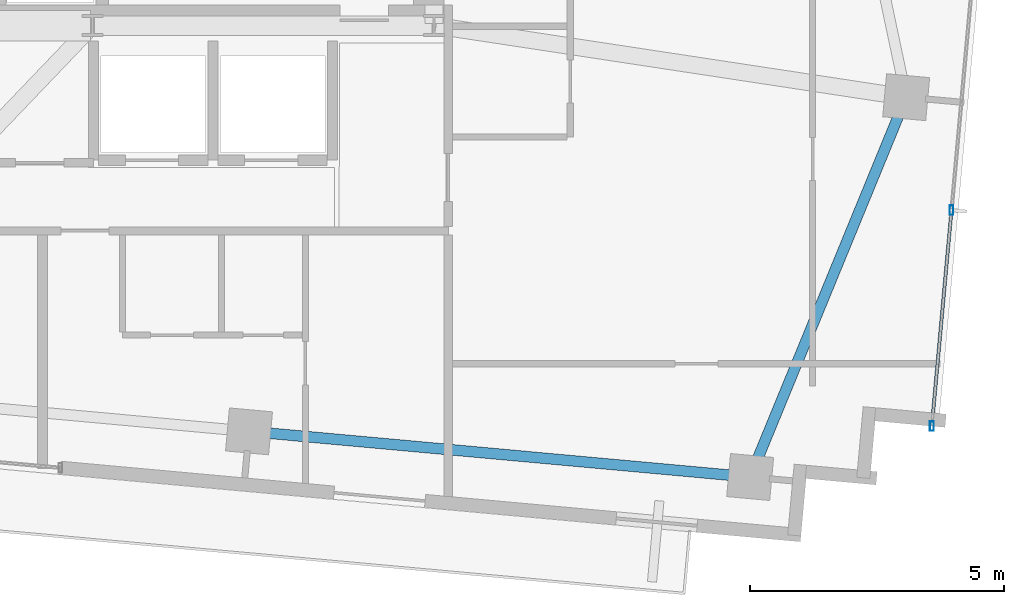
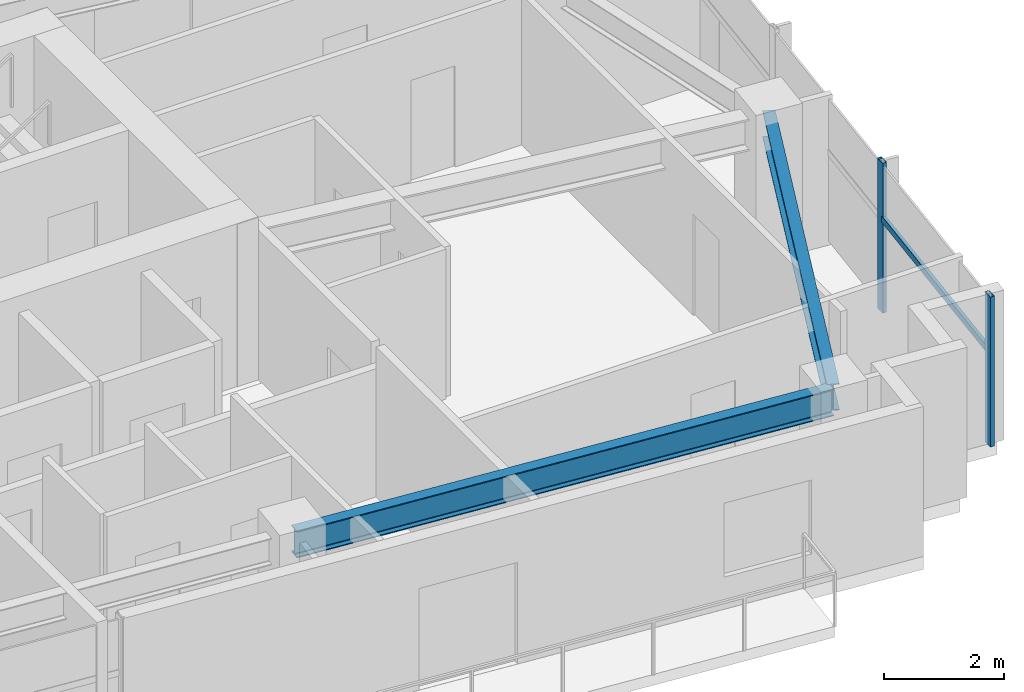
# One storey, part 12 of 22: 3 members, 2 beams, 1 element without a shape of its own.
"""IFC4 building model written with IfcOpenShell, lengths in metres."""

from ifc_helpers import new_model, si_unit, direction, frame, origin, origin_2d, place, context, subcontext, project, spatial, hollow_rectangle, i_section, extrude, source, transform, mapped, material, material_profile, profile_set, type_object, type_shapes, element, aggregate, save


model = new_model("IFC4")

# Units and contexts
model_context = context("Model", 3, precision=1e-05, world=origin(), true_north=direction((0.0, 1.0)))
body_context = subcontext(model_context, "Body", "Model", "MODEL_VIEW")
ifc_project = project(units=[si_unit("LENGTHUNIT", "METRE"), si_unit("AREAUNIT", "SQUARE_METRE"), si_unit("VOLUMEUNIT", "CUBIC_METRE"), si_unit("PLANEANGLEUNIT", "RADIAN"), si_unit("MASSUNIT", "GRAM", prefix="KILO")], contexts=[model_context])

# Site, building, storey
site_placement = place(None, origin())
site = spatial("IfcSite", under=ifc_project, at=site_placement, CompositionType="ELEMENT")
building_placement = place(site_placement, origin())
building = spatial("IfcBuilding", under=site, at=building_placement, Name="Astriad Promenade Condominiums", CompositionType="ELEMENT")
storey_placement = place(building_placement, frame((0.0, 0.0, 223.199951171875)))
storey = spatial("IfcBuildingStorey", under=building, at=storey_placement, Name="L64", CompositionType="ELEMENT", Elevation=223.199951171875)

# Beams
ifc_material_1 = material(Name="Steel ASTM A992 Grade 50", Category="steel")
ifc_material_profile_1 = material_profile(ifc_material_1, i_section(OverallWidth=0.210693359375, OverallDepth=0.53955078125, WebThickness=0.01171875, FlangeThickness=0.018798828125, FilletRadius=0.0166015625, at=origin_2d()), Name="W21X73")
ifc_profile_set_1 = profile_set([ifc_material_profile_1], Name="Steel ASTM A992 Grade 50")
beam_type = type_object("IfcBeamType", Name="STEEL SPANDREL BEAM W21X73", PredefinedType="SPANDREL", material=ifc_profile_set_1)
shared_shape_1 = source(origin(), body_context, "Body", "SweptSolid", [
    extrude(i_section(OverallWidth=0.210693359375, OverallDepth=0.53955078125, WebThickness=0.01171875, FlangeThickness=0.018798828125, FilletRadius=0.0166015625, at=origin_2d()), origin(), (0.0, 0.0, 1.0), 9.820068359375),
])
beam_1_placement = place(storey_placement, frame((41.99951171875, 9.410888671875, 2.770263671875), z_axis=(0.995883214993, -0.090645585088, 0.0), x_axis=(0.090645585088, 0.995883214993, 0.0)))
element("IfcBeam", 1, at=beam_1_placement, inside=storey, type_object=beam_type, Name="Perimeter Spandrel Beam SP-S4-L64", PredefinedType="SPANDREL", context=body_context, shape_type="MappedRepresentation", body=[
    mapped(shared_shape_1, transform((0.0, 0.0, 0.0), scale=1.0)),
])
shared_shape_2 = source(origin(), body_context, "Body", "SweptSolid", [
    extrude(i_section(OverallWidth=0.210693359375, OverallDepth=0.53955078125, WebThickness=0.01171875, FlangeThickness=0.018798828125, FilletRadius=0.0166015625, at=origin_2d()), origin(), (0.0, 0.0, 1.0), 7.998779296875),
])
type_shapes(beam_type, [shared_shape_1, shared_shape_2])
beam_2_placement = place(storey_placement, frame((51.833984375, 8.55419921875, 2.770263671875), z_axis=(0.38000513148, 0.924984378273, 0.0), x_axis=(-0.924984378273, 0.38000513148, 0.0)))
element("IfcBeam", 2, at=beam_2_placement, inside=storey, type_object=beam_type, Name="Perimeter Spandrel Beam SP-E1-L64", PredefinedType="SPANDREL", context=body_context, shape_type="MappedRepresentation", body=[
    mapped(shared_shape_2, transform((0.0, 0.0, 0.0), scale=1.0)),
])

# Curtain wall, members
ifc_material_2 = material(Name="Anodised aluminium Black Dark Glass Unitised", Category="aluminium")
curtain_wall_type = type_object("IfcCurtainWallType", Name="CW-B5-DARK", PredefinedType="USERDEFINED", material=ifc_material_2)
curtain_wall_placement = place(storey_placement, origin())
curtain_wall = element("IfcCurtainWall", 3, at=curtain_wall_placement, inside=storey, type_object=curtain_wall_type, Name="CW-L64-E", ObjectType="UNITISED_CURTAIN_WALL", PredefinedType="USERDEFINED")
ifc_material_3 = material(Name="Anodised aluminium 6063-T6 Black", Category="aluminium")
ifc_material_profile_2 = material_profile(ifc_material_3, hollow_rectangle(XDim=0.06494140625, YDim=0.1298828125, WallThickness=0.00390625, at=origin_2d()), Name="ALU-TRN-65X130")
ifc_profile_set_2 = profile_set([ifc_material_profile_2], Name="Anodised aluminium 6063-T6 Black")
member_type_1 = type_object("IfcMemberType", Name="TRN-ALU-TRN-65X130", PredefinedType="USERDEFINED", material=ifc_profile_set_2)
shared_shape_3 = source(origin(), body_context, "Body", "SweptSolid", [
    extrude(hollow_rectangle(XDim=0.06494140625, YDim=0.1298828125, WallThickness=0.00390625, at=origin_2d()), origin(), (0.0, 0.0, 1.0), 4.2666015625),
])
type_shapes(member_type_1, [shared_shape_3])
member_1_placement = place(storey_placement, frame((55.78076171875, 13.766357421875, 1.884765625), z_axis=(-0.090638931954, -0.99588382054, 0.0), x_axis=(0.99588382054, -0.090638931954, 0.0)))
member_1 = element("IfcMember", 4, at=member_1_placement, type_object=member_type_1, Name="CW-L64-E-TRN-02-0", ObjectType="TRANSOM", PredefinedType="USERDEFINED", context=body_context, shape_type="MappedRepresentation", body=[
    mapped(shared_shape_3, transform((0.0, 0.0, 0.0), scale=1.0)),
])
ifc_material_profile_3 = material_profile(ifc_material_3, hollow_rectangle(XDim=0.074951171875, YDim=0.18505859375, WallThickness=0.00439453125, at=origin_2d()), Name="ALU-MUL-75X185")
ifc_profile_set_3 = profile_set([ifc_material_profile_3], Name="Anodised aluminium 6063-T6 Black")
member_type_2 = type_object("IfcMemberType", Name="MUL-ALU-MUL-75X185", PredefinedType="MULLION", material=ifc_profile_set_3)
shared_shape_4 = source(origin(), body_context, "Body", "SweptSolid", [
    extrude(hollow_rectangle(XDim=0.074951171875, YDim=0.18505859375, WallThickness=0.00439453125, at=origin_2d()), origin(), (0.0, 0.0, 1.0), 3.0400390625),
])
type_shapes(member_type_2, [shared_shape_4])
member_2_placement = place(storey_placement, frame((55.78076171875, 13.766357421875, 0.0), z_axis=(0.0, 0.0, 1.0), x_axis=(1.0, 0.0, 0.0)))
member_2 = element("IfcMember", 5, at=member_2_placement, type_object=member_type_2, Name="CW-L64-E-MUL-02", PredefinedType="MULLION", context=body_context, shape_type="MappedRepresentation", body=[
    mapped(shared_shape_4, transform((0.0, 0.0, 0.0), scale=1.0)),
])
member_3_placement = place(storey_placement, frame((55.39404296875, 9.517333984375, 0.0), z_axis=(0.0, 0.0, 1.0), x_axis=(1.0, 0.0, 0.0)))
member_3 = element("IfcMember", 6, at=member_3_placement, type_object=member_type_2, Name="CW-L64-E-MUL-03", PredefinedType="MULLION", context=body_context, shape_type="MappedRepresentation", body=[
    mapped(shared_shape_4, transform((0.0, 0.0, 0.0), scale=1.0)),
])
aggregate(curtain_wall, [member_2, member_3, member_1])

save(model, "model.ifc")
